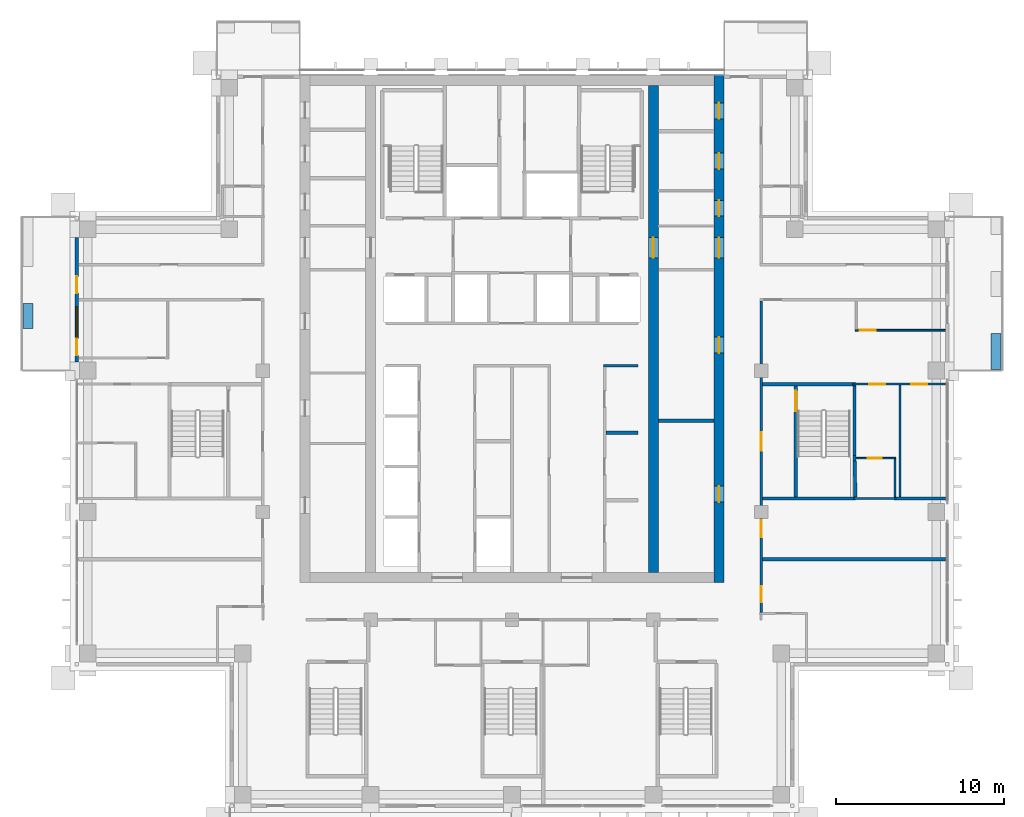
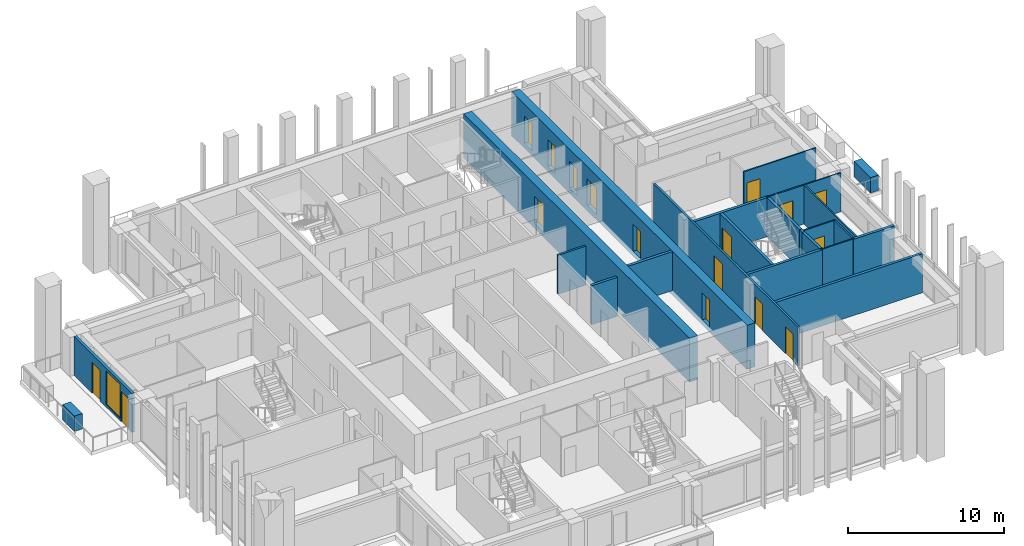
# One storey, part 9 of 16: 23 walls, 17 doors, 1 window, 18 openings.
"""IFC4 building model written with IfcOpenShell, lengths in metres."""

from ifc_helpers import new_model, si_unit, direction, frame, frame_2d, origin, place, context, subcontext, project, spatial, rectangle, extrude, material, layer, layer_set, type_object, element, fill, save


model = new_model("IFC4")

# Units and contexts
model_context = context("Model", 3, precision=1e-05, world=origin(), true_north=direction((0.0, 1.0)))
body_context = subcontext(model_context, "Body", "Model", "MODEL_VIEW")
ifc_project = project(units=[si_unit("LENGTHUNIT", "METRE"), si_unit("AREAUNIT", "SQUARE_METRE"), si_unit("VOLUMEUNIT", "CUBIC_METRE"), si_unit("PLANEANGLEUNIT", "RADIAN"), si_unit("MASSUNIT", "GRAM", prefix="KILO")], contexts=[model_context])

# Site, building, storey
site_placement = place(None, origin())
site = spatial("IfcSite", under=ifc_project, at=site_placement, CompositionType="ELEMENT")
building_placement = place(site_placement, origin())
building = spatial("IfcBuilding", under=site, at=building_placement, Name="Vermilion Ogive Tower", CompositionType="ELEMENT")
storey_placement = place(building_placement, frame((0.0, 0.0, 206.60009765625)))
storey = spatial("IfcBuildingStorey", under=building, at=storey_placement, Name="L54", CompositionType="ELEMENT", Elevation=206.60009765625)

# Wall, openings, doors
ifc_material_1 = material(Name="Concrete B60", Category="concrete")
ifc_layer_1 = layer(ifc_material_1, 0.60009765625)
ifc_layer_set_1 = layer_set([ifc_layer_1], Name="Core wall 600 B60")
wall_type_1 = type_object("IfcWallType", Name="Core wall 600 B60", PredefinedType="SHEAR", material=ifc_layer_set_1)
wall_1_placement = place(storey_placement, frame((12.300048828125, -8.39990234375, -0.400146484375), z_axis=(0.0, 0.0, 1.0), x_axis=(0.0, 1.0, 0.0)))
wall_1 = element("IfcWall", 1, at=wall_1_placement, inside=storey, type_object=wall_type_1, Name="L54-CORE-E", PredefinedType="SHEAR", context=body_context, shape_type="SweptSolid", body=[
    extrude(rectangle(XDim=30.14990234375, YDim=0.60009765625, at=frame_2d((15.074951171875, 0.0))), origin(), (0.0, 0.0, 1.0), 3.449951171875),
])
opening_1_placement = place(wall_1_placement, frame((4.78759765625, 0.0, 0.39990234375)))
opening_1 = element("IfcOpeningElement", 2, at=opening_1_placement, cuts=wall_1, Name="Opening DAC089", PredefinedType="OPENING", context=body_context, shape_type="SweptSolid", body=[
    extrude(rectangle(XDim=0.949951171875, YDim=2.10009765625, at=frame_2d((0.47509765625, 1.050048828125))), frame((0.0, 0.31005859375, 0.0), z_axis=(0.0, -1.0, 0.0), x_axis=(1.0, 0.0, 0.0)), (0.0, 0.0, 1.0), 0.6201171875),
])
opening_2_placement = place(wall_1_placement, frame((13.6376953125, 0.0, 0.39990234375)))
opening_2 = element("IfcOpeningElement", 3, at=opening_2_placement, cuts=wall_1, Name="Opening DAC090", PredefinedType="OPENING", context=body_context, shape_type="SweptSolid", body=[
    extrude(rectangle(XDim=0.949951171875, YDim=2.10009765625, at=frame_2d((0.47509765625, 1.050048828125))), frame((0.0, 0.31005859375, 0.0), z_axis=(0.0, -1.0, 0.0), x_axis=(1.0, 0.0, 0.0)), (0.0, 0.0, 1.0), 0.6201171875),
])
opening_3_placement = place(wall_1_placement, frame((21.7705078125, 0.0, 0.39990234375)))
opening_3 = element("IfcOpeningElement", 4, at=opening_3_placement, cuts=wall_1, Name="Opening DAC091", PredefinedType="OPENING", context=body_context, shape_type="SweptSolid", body=[
    extrude(rectangle(XDim=0.949951171875, YDim=2.10009765625, at=frame_2d((0.47509765625, 1.050048828125))), frame((0.0, 0.31005859375, 0.0), z_axis=(0.0, -1.0, 0.0), x_axis=(1.0, 0.0, 0.0)), (0.0, 0.0, 1.0), 0.6201171875),
])
opening_4_placement = place(wall_1_placement, frame((24.57568359375, 0.0, 0.39990234375)))
opening_4 = element("IfcOpeningElement", 5, at=opening_4_placement, cuts=wall_1, Name="Opening DAC092", PredefinedType="OPENING", context=body_context, shape_type="SweptSolid", body=[
    extrude(rectangle(XDim=0.949951171875, YDim=2.10009765625, at=frame_2d((0.47509765625, 1.050048828125))), frame((0.0, 0.31005859375, 0.0), z_axis=(0.0, -1.0, 0.0), x_axis=(1.0, 0.0, 0.0)), (0.0, 0.0, 1.0), 0.6201171875),
])
opening_5_placement = place(wall_1_placement, frame((27.555419921875, 0.0, 0.39990234375)))
opening_5 = element("IfcOpeningElement", 6, at=opening_5_placement, cuts=wall_1, Name="Opening DAC093", PredefinedType="OPENING", context=body_context, shape_type="SweptSolid", body=[
    extrude(rectangle(XDim=0.949951171875, YDim=2.10009765625, at=frame_2d((0.47509765625, 1.050048828125))), frame((0.0, 0.31005859375, 0.0), z_axis=(0.0, -1.0, 0.0), x_axis=(1.0, 0.0, 0.0)), (0.0, 0.0, 1.0), 0.6201171875),
])
opening_6_placement = place(wall_1_placement, frame((19.300048828125, 0.0, 0.39990234375)))
opening_6 = element("IfcOpeningElement", 7, at=opening_6_placement, cuts=wall_1, Name="Opening DAL022", PredefinedType="OPENING", context=body_context, shape_type="SweptSolid", body=[
    extrude(rectangle(XDim=1.199951171875, YDim=2.10009765625, at=frame_2d((0.60009765625, 1.050048828125))), frame((0.0, 0.31005859375, 0.0), z_axis=(0.0, -1.0, 0.0), x_axis=(1.0, 0.0, 0.0)), (0.0, 0.0, 1.0), 0.6201171875),
])
ifc_material_2 = material(Name="Timber door leaf", Category="wood")
door_type_1 = type_object("IfcDoorType", Name="Link door 1200 x 2100 FD60S", OperationType="SINGLE_SWING_LEFT", PredefinedType="DOOR", material=ifc_material_2)
door_1_placement = place(opening_6_placement, origin())
door_1 = element("IfcDoor", 8, at=door_1_placement, inside=storey, type_object=door_type_1, Name="L54-CKE-XL", OperationType="SINGLE_SWING_LEFT", OverallHeight=2.10009765625, OverallWidth=1.199951171875, PredefinedType="DOOR", context=body_context, shape_type="SweptSolid", body=[
    extrude(rectangle(XDim=1.199951171875, YDim=2.10009765625, at=frame_2d((0.60009765625, 1.050048828125))), frame((0.0, 0.02490234375, 0.0), z_axis=(0.0, -1.0, 0.0), x_axis=(1.0, 0.0, 0.0)), (0.0, 0.0, 1.0), 0.050048828125),
])
fill(opening_6, door_1)
ifc_material_3 = material(Name="Timber door leaf", Category="wood")
door_type_2 = type_object("IfcDoorType", Name="Service door 950 x 2100 FD60", OperationType="SINGLE_SWING_LEFT", PredefinedType="DOOR", material=ifc_material_3)
door_2_placement = place(opening_1_placement, origin())
door_2 = element("IfcDoor", 9, at=door_2_placement, inside=storey, type_object=door_type_2, Name="L54-CKE-XR0", OperationType="SINGLE_SWING_LEFT", OverallHeight=2.10009765625, OverallWidth=0.949951171875, PredefinedType="DOOR", context=body_context, shape_type="SweptSolid", body=[
    extrude(rectangle(XDim=0.949951171875, YDim=2.10009765625, at=frame_2d((0.47509765625, 1.050048828125))), frame((0.0, 0.02490234375, 0.0), z_axis=(0.0, -1.0, 0.0), x_axis=(1.0, 0.0, 0.0)), (0.0, 0.0, 1.0), 0.050048828125),
])
fill(opening_1, door_2)
door_3_placement = place(opening_2_placement, origin())
door_3 = element("IfcDoor", 10, at=door_3_placement, inside=storey, type_object=door_type_2, Name="L54-CKE-XR1", OperationType="SINGLE_SWING_LEFT", OverallHeight=2.10009765625, OverallWidth=0.949951171875, PredefinedType="DOOR", context=body_context, shape_type="SweptSolid", body=[
    extrude(rectangle(XDim=0.949951171875, YDim=2.10009765625, at=frame_2d((0.47509765625, 1.050048828125))), frame((0.0, 0.02490234375, 0.0), z_axis=(0.0, -1.0, 0.0), x_axis=(1.0, 0.0, 0.0)), (0.0, 0.0, 1.0), 0.050048828125),
])
fill(opening_2, door_3)
door_4_placement = place(opening_3_placement, origin())
door_4 = element("IfcDoor", 11, at=door_4_placement, inside=storey, type_object=door_type_2, Name="L54-CKE-XR2", OperationType="SINGLE_SWING_LEFT", OverallHeight=2.10009765625, OverallWidth=0.949951171875, PredefinedType="DOOR", context=body_context, shape_type="SweptSolid", body=[
    extrude(rectangle(XDim=0.949951171875, YDim=2.10009765625, at=frame_2d((0.47509765625, 1.050048828125))), frame((0.0, 0.02490234375, 0.0), z_axis=(0.0, -1.0, 0.0), x_axis=(1.0, 0.0, 0.0)), (0.0, 0.0, 1.0), 0.050048828125),
])
fill(opening_3, door_4)
door_5_placement = place(opening_4_placement, origin())
door_5 = element("IfcDoor", 12, at=door_5_placement, inside=storey, type_object=door_type_2, Name="L54-CKE-XR3", OperationType="SINGLE_SWING_LEFT", OverallHeight=2.10009765625, OverallWidth=0.949951171875, PredefinedType="DOOR", context=body_context, shape_type="SweptSolid", body=[
    extrude(rectangle(XDim=0.949951171875, YDim=2.10009765625, at=frame_2d((0.47509765625, 1.050048828125))), frame((0.0, 0.02490234375, 0.0), z_axis=(0.0, -1.0, 0.0), x_axis=(1.0, 0.0, 0.0)), (0.0, 0.0, 1.0), 0.050048828125),
])
fill(opening_4, door_5)
door_6_placement = place(opening_5_placement, origin())
door_6 = element("IfcDoor", 13, at=door_6_placement, inside=storey, type_object=door_type_2, Name="L54-CKE-XR4", OperationType="SINGLE_SWING_LEFT", OverallHeight=2.10009765625, OverallWidth=0.949951171875, PredefinedType="DOOR", context=body_context, shape_type="SweptSolid", body=[
    extrude(rectangle(XDim=0.949951171875, YDim=2.10009765625, at=frame_2d((0.47509765625, 1.050048828125))), frame((0.0, 0.02490234375, 0.0), z_axis=(0.0, -1.0, 0.0), x_axis=(1.0, 0.0, 0.0)), (0.0, 0.0, 1.0), 0.050048828125),
])
fill(opening_5, door_6)

# Wall, opening, door
wall_2_placement = place(storey_placement, frame((8.39990234375, -7.800048828125, -0.400146484375), z_axis=(0.0, 0.0, 1.0), x_axis=(0.0, 1.0, 0.0)))
wall_2 = element("IfcWall", 14, at=wall_2_placement, inside=storey, type_object=wall_type_1, Name="L54-CORE-WEB2", PredefinedType="SHEAR", context=body_context, shape_type="SweptSolid", body=[
    extrude(rectangle(XDim=28.949951171875, YDim=0.60009765625, at=frame_2d((14.47509765625, 0.0))), origin(), (0.0, 0.0, 1.0), 3.449951171875),
])
opening_7_placement = place(wall_2_placement, frame((18.699951171875, 0.0, 0.39990234375)))
opening_7 = element("IfcOpeningElement", 15, at=opening_7_placement, cuts=wall_2, Name="Opening DAO017", PredefinedType="OPENING", context=body_context, shape_type="SweptSolid", body=[
    extrude(rectangle(XDim=1.199951171875, YDim=2.10009765625, at=frame_2d((0.60009765625, 1.050048828125))), frame((0.0, 0.31005859375, 0.0), z_axis=(0.0, -1.0, 0.0), x_axis=(1.0, 0.0, 0.0)), (0.0, 0.0, 1.0), 0.6201171875),
])
door_7_placement = place(opening_7_placement, origin())
door_7 = element("IfcDoor", 16, at=door_7_placement, inside=storey, type_object=door_type_1, Name="L54-CKE-XW", OperationType="SINGLE_SWING_LEFT", OverallHeight=2.10009765625, OverallWidth=1.199951171875, PredefinedType="DOOR", context=body_context, shape_type="SweptSolid", body=[
    extrude(rectangle(XDim=1.199951171875, YDim=2.10009765625, at=frame_2d((0.60009765625, 1.050048828125))), frame((0.0, 0.02490234375, 0.0), z_axis=(0.0, -1.0, 0.0), x_axis=(1.0, 0.0, 0.0)), (0.0, 0.0, 1.0), 0.050048828125),
])
fill(opening_7, door_7)

# Wall
ifc_material_4 = material(Name="Gypsum board partition on steel studs", Category="steel")
ifc_layer_2 = layer(ifc_material_4, 0.10009765625)
ifc_layer_set_2 = layer_set([ifc_layer_2], Name="Partition 100 bath")
wall_type_2 = type_object("IfcWallType", Name="Partition 100 bath", PredefinedType="PARTITIONING", material=ifc_layer_set_2)
wall_3_placement = place(storey_placement, frame((20.300048828125, -3.39990234375, 0.0), z_axis=(0.0, 0.0, 1.0), x_axis=(1.0, 0.0, 0.0)))
element("IfcWall", 17, at=wall_3_placement, inside=storey, type_object=wall_type_2, Name="L54-W-W019", PredefinedType="PARTITIONING", context=body_context, shape_type="SweptSolid", body=[
    extrude(rectangle(XDim=2.5, YDim=0.10009765625, at=frame_2d((1.25, 0.0))), origin(), (0.0, 0.0, 1.0), 3.0498046875),
])

# Wall, opening, door
wall_4_placement = place(storey_placement, frame((20.449951171875, -1.0, 0.0), z_axis=(0.0, 0.0, 1.0), x_axis=(1.0, 0.0, 0.0)))
wall_4 = element("IfcWall", 18, at=wall_4_placement, inside=storey, type_object=wall_type_2, Name="L54-W-W021", PredefinedType="PARTITIONING", context=body_context, shape_type="SweptSolid", body=[
    extrude(rectangle(XDim=2.35009765625, YDim=0.10009765625, at=frame_2d((1.175048828125, 0.0))), origin(), (0.0, 0.0, 1.0), 3.0498046875),
])
opening_8_placement = place(wall_4_placement, frame((0.675048828125, 0.0, 0.0)))
opening_8 = element("IfcOpeningElement", 19, at=opening_8_placement, cuts=wall_4, Name="Opening D4G5019", PredefinedType="OPENING", context=body_context, shape_type="SweptSolid", body=[
    extrude(rectangle(XDim=0.85009765625, YDim=2.10009765625, at=frame_2d((0.425048828125, 1.050048828125))), frame((0.0, 0.06005859375, 0.0), z_axis=(0.0, -1.0, 0.0), x_axis=(1.0, 0.0, 0.0)), (0.0, 0.0, 1.0), 0.1201171875),
])
ifc_material_5 = material(Name="Timber door leaf", Category="wood")
door_type_3 = type_object("IfcDoorType", Name="Bath door 850 x 2100 FD30", OperationType="SINGLE_SWING_LEFT", PredefinedType="DOOR", material=ifc_material_5)
door_8_placement = place(opening_8_placement, origin())
door_8 = element("IfcDoor", 20, at=door_8_placement, inside=storey, type_object=door_type_3, Name="L54-D-D019", OperationType="SINGLE_SWING_RIGHT", OverallHeight=2.10009765625, OverallWidth=0.85009765625, PredefinedType="DOOR", context=body_context, shape_type="SweptSolid", body=[
    extrude(rectangle(XDim=0.85009765625, YDim=2.10009765625, at=frame_2d((0.425048828125, 1.050048828125))), frame((0.0, 0.02490234375, 0.0), z_axis=(0.0, -1.0, 0.0), x_axis=(1.0, 0.0, 0.0)), (0.0, 0.0, 1.0), 0.050048828125),
])
fill(opening_8, door_8)

# Wall
wall_5_placement = place(storey_placement, frame((22.75, -3.300048828125, 0.0), z_axis=(0.0, 0.0, 1.0), x_axis=(0.0, 1.0, 0.0)))
element("IfcWall", 21, at=wall_5_placement, inside=storey, type_object=wall_type_2, Name="L54-W-W070", PredefinedType="PARTITIONING", context=body_context, shape_type="SweptSolid", body=[
    extrude(rectangle(XDim=2.25, YDim=0.10009765625, at=frame_2d((1.125, 0.0))), origin(), (0.0, 0.0, 1.0), 3.0498046875),
])

# Wall, openings, doors
ifc_material_6 = material(Name="Gypsum board partition on steel studs", Category="steel")
ifc_layer_3 = layer(ifc_material_6, 0.10009765625)
ifc_layer_set_3 = layer_set([ifc_layer_3], Name="Partition 100 inner")
wall_type_3 = type_object("IfcWallType", Name="Partition 100 inner", PredefinedType="PARTITIONING", material=ifc_layer_set_3)
wall_6_placement = place(storey_placement, frame((20.25, 3.39990234375, 0.0), z_axis=(0.0, 0.0, 1.0), x_axis=(1.0, 0.0, 0.0)))
wall_6 = element("IfcWall", 22, at=wall_6_placement, inside=storey, type_object=wall_type_3, Name="L54-W-W026", PredefinedType="PARTITIONING", context=body_context, shape_type="SweptSolid", body=[
    extrude(rectangle(XDim=5.5, YDim=0.10009765625, at=frame_2d((2.75, 0.0))), origin(), (0.0, 0.0, 1.0), 3.0498046875),
])
opening_9_placement = place(wall_6_placement, frame((3.474853515625, 0.0, 0.0)))
opening_9 = element("IfcOpeningElement", 23, at=opening_9_placement, cuts=wall_6, Name="Opening D4G5015", PredefinedType="OPENING", context=body_context, shape_type="SweptSolid", body=[
    extrude(rectangle(XDim=0.949951171875, YDim=2.10009765625, at=frame_2d((0.47509765625, 1.050048828125))), frame((0.0, 0.06005859375, 0.0), z_axis=(0.0, -1.0, 0.0), x_axis=(1.0, 0.0, 0.0)), (0.0, 0.0, 1.0), 0.1201171875),
])
opening_10_placement = place(wall_6_placement, frame((0.97509765625, 0.0, 0.0)))
opening_10 = element("IfcOpeningElement", 24, at=opening_10_placement, cuts=wall_6, Name="Opening D4G5018", PredefinedType="OPENING", context=body_context, shape_type="SweptSolid", body=[
    extrude(rectangle(XDim=0.949951171875, YDim=2.10009765625, at=frame_2d((0.47509765625, 1.050048828125))), frame((0.0, 0.06005859375, 0.0), z_axis=(0.0, -1.0, 0.0), x_axis=(1.0, 0.0, 0.0)), (0.0, 0.0, 1.0), 0.1201171875),
])
ifc_material_7 = material(Name="Timber door leaf", Category="wood")
door_type_4 = type_object("IfcDoorType", Name="Inner door 950 x 2100 FD30", OperationType="SINGLE_SWING_LEFT", PredefinedType="DOOR", material=ifc_material_7)
door_9_placement = place(opening_9_placement, origin())
door_9 = element("IfcDoor", 25, at=door_9_placement, inside=storey, type_object=door_type_4, Name="L54-D-D015", OperationType="SINGLE_SWING_RIGHT", OverallHeight=2.10009765625, OverallWidth=0.949951171875, PredefinedType="DOOR", context=body_context, shape_type="SweptSolid", body=[
    extrude(rectangle(XDim=0.949951171875, YDim=2.10009765625, at=frame_2d((0.47509765625, 1.050048828125))), frame((0.0, 0.02490234375, 0.0), z_axis=(0.0, -1.0, 0.0), x_axis=(1.0, 0.0, 0.0)), (0.0, 0.0, 1.0), 0.050048828125),
])
fill(opening_9, door_9)
door_10_placement = place(opening_10_placement, origin())
door_10 = element("IfcDoor", 26, at=door_10_placement, inside=storey, type_object=door_type_4, Name="L54-D-D018", OperationType="SINGLE_SWING_RIGHT", OverallHeight=2.10009765625, OverallWidth=0.949951171875, PredefinedType="DOOR", context=body_context, shape_type="SweptSolid", body=[
    extrude(rectangle(XDim=0.949951171875, YDim=2.10009765625, at=frame_2d((0.47509765625, 1.050048828125))), frame((0.0, 0.02490234375, 0.0), z_axis=(0.0, -1.0, 0.0), x_axis=(1.0, 0.0, 0.0)), (0.0, 0.0, 1.0), 0.050048828125),
])
fill(opening_10, door_10)

# Wall, opening, door
wall_7_placement = place(storey_placement, frame((20.39990234375, 6.60009765625, 0.0), z_axis=(0.0, 0.0, 1.0), x_axis=(1.0, 0.0, 0.0)))
wall_7 = element("IfcWall", 27, at=wall_7_placement, inside=storey, type_object=wall_type_3, Name="L54-W-W028", PredefinedType="PARTITIONING", context=body_context, shape_type="SweptSolid", body=[
    extrude(rectangle(XDim=5.35009765625, YDim=0.10009765625, at=frame_2d((2.675048828125, 0.0))), origin(), (0.0, 0.0, 1.0), 3.0498046875),
])
opening_11_placement = place(wall_7_placement, frame((0.25, 0.0, 0.0)))
opening_11 = element("IfcOpeningElement", 28, at=opening_11_placement, cuts=wall_7, Name="Opening D4G5016", PredefinedType="OPENING", context=body_context, shape_type="SweptSolid", body=[
    extrude(rectangle(XDim=0.949951171875, YDim=2.10009765625, at=frame_2d((0.47509765625, 1.050048828125))), frame((0.0, 0.06005859375, 0.0), z_axis=(0.0, -1.0, 0.0), x_axis=(1.0, 0.0, 0.0)), (0.0, 0.0, 1.0), 0.1201171875),
])
door_11_placement = place(opening_11_placement, origin())
door_11 = element("IfcDoor", 29, at=door_11_placement, inside=storey, type_object=door_type_4, Name="L54-D-D016", OperationType="SINGLE_SWING_LEFT", OverallHeight=2.10009765625, OverallWidth=0.949951171875, PredefinedType="DOOR", context=body_context, shape_type="SweptSolid", body=[
    extrude(rectangle(XDim=0.949951171875, YDim=2.10009765625, at=frame_2d((0.47509765625, 1.050048828125))), frame((0.0, 0.02490234375, 0.0), z_axis=(0.0, -1.0, 0.0), x_axis=(1.0, 0.0, 0.0)), (0.0, 0.0, 1.0), 0.050048828125),
])
fill(opening_11, door_11)

# Wall
wall_8_placement = place(storey_placement, frame((23.050048828125, -3.300048828125, 0.0), z_axis=(0.0, 0.0, 1.0), x_axis=(0.0, 1.0, 0.0)))
element("IfcWall", 30, at=wall_8_placement, inside=storey, type_object=wall_type_3, Name="L54-W-W071", PredefinedType="PARTITIONING", context=body_context, shape_type="SweptSolid", body=[
    extrude(rectangle(XDim=6.650146484375, YDim=0.10009765625, at=frame_2d((3.3251953125, 0.0))), origin(), (0.0, 0.0, 1.0), 3.0498046875),
])

# Wall, openings, doors
ifc_material_8 = material(Name="Gypsum board partition on steel studs", Category="steel")
ifc_layer_4 = layer(ifc_material_8, 0.14990234375)
ifc_layer_set_4 = layer_set([ifc_layer_4], Name="Partition 150 corridor")
wall_type_4 = type_object("IfcWallType", Name="Partition 150 corridor", PredefinedType="PARTITIONING", material=ifc_layer_set_4)
wall_9_placement = place(storey_placement, frame((14.800048828125, -10.179931640625, 0.0), z_axis=(0.0, 0.0, 1.0), x_axis=(0.0, 1.0, 0.0)))
wall_9 = element("IfcWall", 31, at=wall_9_placement, inside=storey, type_object=wall_type_4, Name="L54-W-W060", PredefinedType="PARTITIONING", context=body_context, shape_type="SweptSolid", body=[
    extrude(rectangle(XDim=18.5048828125, YDim=0.14990234375, at=frame_2d((9.25244140625, 0.0))), origin(), (0.0, 0.0, 1.0), 3.0498046875),
])
opening_12_placement = place(wall_9_placement, frame((0.6298828125, 0.0, 0.0)))
opening_12 = element("IfcOpeningElement", 32, at=opening_12_placement, cuts=wall_9, Name="Opening D4G5013", PredefinedType="OPENING", context=body_context, shape_type="SweptSolid", body=[
    extrude(rectangle(XDim=0.949951171875, YDim=2.10009765625, at=frame_2d((0.47509765625, 1.050048828125))), frame((0.0, 0.0849609375, 0.0), z_axis=(0.0, -1.0, 0.0), x_axis=(1.0, 0.0, 0.0)), (0.0, 0.0, 1.0), 0.169921875),
])
opening_13_placement = place(wall_9_placement, frame((9.6298828125, 0.0, 0.0)))
opening_13 = element("IfcOpeningElement", 33, at=opening_13_placement, cuts=wall_9, Name="Opening D4G5028", PredefinedType="OPENING", context=body_context, shape_type="SweptSolid", body=[
    extrude(rectangle(XDim=1.10009765625, YDim=2.10009765625, at=frame_2d((0.550048828125, 1.050048828125))), frame((0.0, 0.0849609375, 0.0), z_axis=(0.0, -1.0, 0.0), x_axis=(1.0, 0.0, 0.0)), (0.0, 0.0, 1.0), 0.169921875),
])
opening_14_placement = place(wall_9_placement, frame((4.47998046875, 0.0, 0.0)))
opening_14 = element("IfcOpeningElement", 34, at=opening_14_placement, cuts=wall_9, Name="Opening D4G5033", PredefinedType="OPENING", context=body_context, shape_type="SweptSolid", body=[
    extrude(rectangle(XDim=1.0, YDim=2.10009765625, at=frame_2d((0.5, 1.050048828125))), frame((0.0, 0.0849609375, 0.0), z_axis=(0.0, -1.0, 0.0), x_axis=(1.0, 0.0, 0.0)), (0.0, 0.0, 1.0), 0.169921875),
])
ifc_material_9 = material(Name="Timber door leaf", Category="wood")
door_type_5 = type_object("IfcDoorType", Name="Stair door 1100 x 2100 FD60S", OperationType="SINGLE_SWING_LEFT", PredefinedType="DOOR", material=ifc_material_9)
door_12_placement = place(opening_13_placement, origin())
door_12 = element("IfcDoor", 35, at=door_12_placement, inside=storey, type_object=door_type_5, Name="L54-D-D028", OperationType="SINGLE_SWING_LEFT", OverallHeight=2.10009765625, OverallWidth=1.10009765625, PredefinedType="DOOR", context=body_context, shape_type="SweptSolid", body=[
    extrude(rectangle(XDim=1.10009765625, YDim=2.10009765625, at=frame_2d((0.550048828125, 1.050048828125))), frame((0.0, 0.02490234375, 0.0), z_axis=(0.0, -1.0, 0.0), x_axis=(1.0, 0.0, 0.0)), (0.0, 0.0, 1.0), 0.050048828125),
])
fill(opening_13, door_12)
ifc_material_10 = material(Name="Timber door leaf", Category="wood")
door_type_6 = type_object("IfcDoorType", Name="Unit door 1000 x 2100 FD30S", OperationType="SINGLE_SWING_LEFT", PredefinedType="DOOR", material=ifc_material_10)
door_13_placement = place(opening_14_placement, origin())
door_13 = element("IfcDoor", 36, at=door_13_placement, inside=storey, type_object=door_type_6, Name="L54-D-D033", OperationType="SINGLE_SWING_RIGHT", OverallHeight=2.10009765625, OverallWidth=1.0, PredefinedType="DOOR", context=body_context, shape_type="SweptSolid", body=[
    extrude(rectangle(XDim=1.0, YDim=2.10009765625, at=frame_2d((0.5, 1.050048828125))), frame((0.0, 0.02490234375, 0.0), z_axis=(0.0, -1.0, 0.0), x_axis=(1.0, 0.0, 0.0)), (0.0, 0.0, 1.0), 0.050048828125),
])
fill(opening_14, door_13)
ifc_material_11 = material(Name="Timber door leaf", Category="wood")
door_type_7 = type_object("IfcDoorType", Name="Unit door 950 x 2100 FD30S", OperationType="SINGLE_SWING_LEFT", PredefinedType="DOOR", material=ifc_material_11)
door_14_placement = place(opening_12_placement, origin())
door_14 = element("IfcDoor", 37, at=door_14_placement, inside=storey, type_object=door_type_7, Name="L54-D-D013", OperationType="SINGLE_SWING_RIGHT", OverallHeight=2.10009765625, OverallWidth=0.949951171875, PredefinedType="DOOR", context=body_context, shape_type="SweptSolid", body=[
    extrude(rectangle(XDim=0.949951171875, YDim=2.10009765625, at=frame_2d((0.47509765625, 1.050048828125))), frame((0.0, 0.02490234375, 0.0), z_axis=(0.0, -1.0, 0.0), x_axis=(1.0, 0.0, 0.0)), (0.0, 0.0, 1.0), 0.050048828125),
])
fill(opening_12, door_14)

# Walls
wall_10_placement = place(storey_placement, frame((5.425048828125, 4.5, 0.0), z_axis=(0.0, 0.0, 1.0), x_axis=(1.0, 0.0, 0.0)))
element("IfcWall", 38, at=wall_10_placement, inside=storey, type_object=wall_type_4, Name="L54-CK-W-W010", PredefinedType="PARTITIONING", context=body_context, shape_type="SweptSolid", body=[
    extrude(rectangle(XDim=2.074951171875, YDim=0.14990234375, at=frame_2d((1.03759765625, 0.0))), origin(), (0.0, 0.0, 1.0), 3.0498046875),
])
ifc_material_12 = material(Name="Gypsum board partition on steel studs", Category="steel")
ifc_layer_5 = layer(ifc_material_12, 0.199951171875)
ifc_layer_set_5 = layer_set([ifc_layer_5], Name="Partition 200 party")
wall_type_5 = type_object("IfcWallType", Name="Partition 200 party", PredefinedType="PARTITIONING", material=ifc_layer_set_5)
wall_11_placement = place(storey_placement, frame((14.875, -7.0, 0.0), z_axis=(0.0, 0.0, 1.0), x_axis=(1.0, 0.0, 0.0)))
element("IfcWall", 39, at=wall_11_placement, inside=storey, type_object=wall_type_5, Name="L54-W-W015", PredefinedType="PARTITIONING", context=body_context, shape_type="SweptSolid", body=[
    extrude(rectangle(XDim=10.875, YDim=0.199951171875, at=frame_2d((5.4375, 0.0))), origin(), (0.0, 0.0, 1.0), 3.0498046875),
])
wall_12_placement = place(storey_placement, frame((22.699951171875, -3.39990234375, 0.0), z_axis=(0.0, 0.0, 1.0), x_axis=(1.0, 0.0, 0.0)))
element("IfcWall", 40, at=wall_12_placement, inside=storey, type_object=wall_type_5, Name="L54-W-W020", PredefinedType="PARTITIONING", context=body_context, shape_type="SweptSolid", body=[
    extrude(rectangle(XDim=3.050048828125, YDim=0.199951171875, at=frame_2d((1.52490234375, 0.0))), origin(), (0.0, 0.0, 1.0), 3.0498046875),
])
wall_13_placement = place(storey_placement, frame((5.574951171875, 0.5, 0.0), z_axis=(0.0, 0.0, 1.0), x_axis=(1.0, 0.0, 0.0)))
element("IfcWall", 41, at=wall_13_placement, inside=storey, type_object=wall_type_5, Name="L54-CK-W-W006", PredefinedType="PARTITIONING", context=body_context, shape_type="SweptSolid", body=[
    extrude(rectangle(XDim=1.925048828125, YDim=0.199951171875, at=frame_2d((0.96240234375, 0.0))), origin(), (0.0, 0.0, 1.0), 3.0498046875),
])
wall_14_placement = place(storey_placement, frame((8.700927734375, 1.22509765625, 0.0), z_axis=(0.0, 0.0, 1.0), x_axis=(1.0, 0.0, 0.0)))
element("IfcWall", 42, at=wall_14_placement, inside=storey, type_object=wall_type_5, Name="L54-CKE-W-W001", PredefinedType="PARTITIONING", context=body_context, shape_type="SweptSolid", body=[
    extrude(rectangle(XDim=3.298095703125, YDim=0.199951171875, at=frame_2d((1.64892578125, 0.0))), origin(), (0.0, 0.0, 1.0), 3.0498046875),
])
ifc_material_13 = material(Name="Concrete B60", Category="concrete")
ifc_layer_6 = layer(ifc_material_13, 0.199951171875)
ifc_layer_set_6 = layer_set([ifc_layer_6], Name="Stair shaft wall 200 Concrete B60")
wall_type_6 = type_object("IfcWallType", Name="Stair shaft wall 200 Concrete B60", PredefinedType="SOLIDWALL", material=ifc_layer_set_6)
wall_15_placement = place(storey_placement, frame((14.875, -3.39990234375, 0.0), z_axis=(0.0, 0.0, 1.0), x_axis=(1.0, 0.0, 0.0)))
element("IfcWall", 43, at=wall_15_placement, inside=storey, type_object=wall_type_6, Name="L54-W-W018", PredefinedType="SOLIDWALL", context=body_context, shape_type="SweptSolid", body=[
    extrude(rectangle(XDim=5.52490234375, YDim=0.199951171875, at=frame_2d((2.762451171875, 0.0))), origin(), (0.0, 0.0, 1.0), 3.0498046875),
])

# Wall, opening, door
wall_16_placement = place(storey_placement, frame((16.85009765625, -3.300048828125, 0.0), z_axis=(0.0, 0.0, 1.0), x_axis=(0.0, 1.0, 0.0)))
wall_16 = element("IfcWall", 44, at=wall_16_placement, inside=storey, type_object=wall_type_6, Name="L54-W-W064", PredefinedType="SOLIDWALL", context=body_context, shape_type="SweptSolid", body=[
    extrude(rectangle(XDim=6.60009765625, YDim=0.199951171875, at=frame_2d((3.300048828125, 0.0))), origin(), (0.0, 0.0, 1.0), 3.0498046875),
])
opening_15_placement = place(wall_16_placement, frame((5.10009765625, 0.0, 0.0)))
opening_15 = element("IfcOpeningElement", 45, at=opening_15_placement, cuts=wall_16, Name="Opening D4G5029", PredefinedType="OPENING", context=body_context, shape_type="SweptSolid", body=[
    extrude(rectangle(XDim=1.199951171875, YDim=2.10009765625, at=frame_2d((0.60009765625, 1.050048828125))), frame((0.0, 0.10986328125, 0.0), z_axis=(0.0, -1.0, 0.0), x_axis=(1.0, 0.0, 0.0)), (0.0, 0.0, 1.0), 0.219970703125),
])
ifc_material_14 = material(Name="Timber door leaf", Category="wood")
door_type_8 = type_object("IfcDoorType", Name="Stair door 1200 x 2100 FD60S", OperationType="SINGLE_SWING_LEFT", PredefinedType="DOOR", material=ifc_material_14)
door_15_placement = place(opening_15_placement, origin())
door_15 = element("IfcDoor", 46, at=door_15_placement, inside=storey, type_object=door_type_8, Name="L54-D-D029", OperationType="SINGLE_SWING_LEFT", OverallHeight=2.10009765625, OverallWidth=1.199951171875, PredefinedType="DOOR", context=body_context, shape_type="SweptSolid", body=[
    extrude(rectangle(XDim=1.199951171875, YDim=2.10009765625, at=frame_2d((0.60009765625, 1.050048828125))), frame((0.0, 0.02490234375, 0.0), z_axis=(0.0, -1.0, 0.0), x_axis=(1.0, 0.0, 0.0)), (0.0, 0.0, 1.0), 0.050048828125),
])
fill(opening_15, door_15)

# Walls
wall_17_placement = place(storey_placement, frame((20.400146484375, -3.300048828125, 0.0), z_axis=(0.0, 0.0, 1.0), x_axis=(-0.021771342749, 0.999762976227, 0.0)))
element("IfcWall", 47, at=wall_17_placement, inside=storey, type_object=wall_type_6, Name="L54-W-W067", PredefinedType="SOLIDWALL", context=body_context, shape_type="SweptSolid", body=[
    extrude(rectangle(XDim=2.130615234375, YDim=0.199951171875, at=frame_2d((1.0654296875, 0.0))), origin(), (0.0, 0.0, 1.0), 3.0498046875),
])
wall_18_placement = place(storey_placement, frame((20.35009765625, -0.830078125, 0.0), z_axis=(0.0, 0.0, 1.0), x_axis=(0.0, 1.0, 0.0)))
element("IfcWall", 48, at=wall_18_placement, inside=storey, type_object=wall_type_6, Name="L54-W-W068", PredefinedType="SOLIDWALL", context=body_context, shape_type="SweptSolid", body=[
    extrude(rectangle(XDim=4.130126953125, YDim=0.199951171875, at=frame_2d((2.06494140625, 0.0))), origin(), (0.0, 0.0, 1.0), 3.0498046875),
])
wall_19_placement = place(storey_placement, frame((20.35009765625, -1.169921875, 0.0), z_axis=(0.0, 0.0, 1.0), x_axis=(0.0, 1.0, 0.0)))
element("IfcWall", 49, at=wall_19_placement, inside=storey, type_object=wall_type_6, Name="L54-SW-ST8-E1", PredefinedType="SOLIDWALL", context=body_context, shape_type="SweptSolid", body=[
    extrude(rectangle(XDim=0.33984375, YDim=0.199951171875, at=frame_2d((0.169921875, 0.0))), origin(), (0.0, 0.0, 1.0), 3.0498046875),
])
wall_20_placement = place(storey_placement, frame((14.875, 3.39990234375, 0.0), z_axis=(0.0, 0.0, 1.0), x_axis=(1.0, 0.0, 0.0)))
element("IfcWall", 50, at=wall_20_placement, inside=storey, type_object=wall_type_6, Name="L54-W-W025-A", PredefinedType="SOLIDWALL", context=body_context, shape_type="SweptSolid", body=[
    extrude(rectangle(XDim=5.574951171875, YDim=0.199951171875, at=frame_2d((2.78759765625, 0.0))), origin(), (0.0, 0.0, 1.0), 3.0498046875),
])
ifc_material_15 = material(Name="Concrete B40", Category="concrete")
ifc_layer_7 = layer(ifc_material_15, 0.60009765625)
ifc_layer_set_7 = layer_set([ifc_layer_7], Name="Structural planter")
wall_type_7 = type_object("IfcWallType", Name="Structural planter", PredefinedType="USERDEFINED", material=ifc_layer_set_7)
wall_21_placement = place(storey_placement, frame((28.75, 4.260009765625, -0.0400390625), z_axis=(0.0, 0.0, 1.0), x_axis=(0.0, 1.0, 0.0)))
element("IfcWall", 51, at=wall_21_placement, inside=storey, type_object=wall_type_7, Name="Planter E03A1", ObjectType="PLANTER", PredefinedType="USERDEFINED", context=body_context, shape_type="SweptSolid", body=[
    extrude(rectangle(XDim=2.139892578125, YDim=0.60009765625, at=frame_2d((1.06982421875, 0.0))), origin(), (0.0, 0.0, 1.0), 1.199951171875),
])
wall_22_placement = place(storey_placement, frame((-28.75, 8.199951171875, -0.0400390625), z_axis=(0.0, 0.0, 1.0), x_axis=(0.0, -1.0, 0.0)))
element("IfcWall", 52, at=wall_22_placement, inside=storey, type_object=wall_type_7, Name="Planter W01A2", ObjectType="PLANTER", PredefinedType="USERDEFINED", context=body_context, shape_type="SweptSolid", body=[
    extrude(rectangle(XDim=1.5, YDim=0.60009765625, at=frame_2d((0.75, 0.0))), origin(), (0.0, 0.0, 1.0), 1.199951171875),
])

# Wall, openings, doors, window
ifc_material_16 = material(Name="Aluminium window wall framing", Category="aluminium")
ifc_layer_8 = layer(ifc_material_16, 0.199951171875)
ifc_layer_set_8 = layer_set([ifc_layer_8], Name="Window wall")
wall_type_8 = type_object("IfcWallType", Name="Window wall", PredefinedType="STANDARD", material=ifc_layer_set_8)
wall_23_placement = place(storey_placement, frame((-25.85009765625, 12.10009765625, 0.0), z_axis=(0.0, 0.0, 1.0), x_axis=(0.0, -1.0, 0.0)))
wall_23 = element("IfcWall", 53, at=wall_23_placement, inside=storey, type_object=wall_type_8, Name="Window wall W1", PredefinedType="STANDARD", context=body_context, shape_type="SweptSolid", body=[
    extrude(rectangle(XDim=7.400146484375, YDim=0.199951171875, at=frame_2d((3.7001953125, 0.0))), origin(), (0.0, 0.0, 1.0), 3.0498046875),
])
opening_16_placement = place(wall_23_placement, frame((4.10009765625, 0.0, 0.199951171875)))
opening_16 = element("IfcOpeningElement", 54, at=opening_16_placement, cuts=wall_23, Name="Opening W1-W01", PredefinedType="OPENING", context=body_context, shape_type="SweptSolid", body=[
    extrude(rectangle(XDim=1.800048828125, YDim=2.64990234375, at=frame_2d((0.89990234375, 1.324951171875))), frame((0.0, 0.10986328125, 0.0), z_axis=(0.0, -1.0, 0.0), x_axis=(1.0, 0.0, 0.0)), (0.0, 0.0, 1.0), 0.219970703125),
])
opening_17_placement = place(wall_23_placement, frame((6.0, 0.0, 0.0)))
opening_17 = element("IfcOpeningElement", 55, at=opening_17_placement, cuts=wall_23, Name="Opening D1-W01", PredefinedType="OPENING", context=body_context, shape_type="SweptSolid", body=[
    extrude(rectangle(XDim=1.0, YDim=2.39990234375, at=frame_2d((0.5, 1.199951171875))), frame((0.0, 0.10986328125, 0.0), z_axis=(0.0, -1.0, 0.0), x_axis=(1.0, 0.0, 0.0)), (0.0, 0.0, 1.0), 0.219970703125),
])
opening_18_placement = place(wall_23_placement, frame((2.300048828125, 0.0, 0.0)))
opening_18 = element("IfcOpeningElement", 56, at=opening_18_placement, cuts=wall_23, Name="Opening D1-W02", PredefinedType="OPENING", context=body_context, shape_type="SweptSolid", body=[
    extrude(rectangle(XDim=1.0, YDim=2.39990234375, at=frame_2d((0.5, 1.199951171875))), frame((0.0, 0.10986328125, 0.0), z_axis=(0.0, -1.0, 0.0), x_axis=(1.0, 0.0, 0.0)), (0.0, 0.0, 1.0), 0.219970703125),
])
ifc_material_17 = material(Name="Aluminium framed glazed door", Category="aluminium")
door_type_9 = type_object("IfcDoorType", Name="Balcony door D1", OperationType="SINGLE_SWING_LEFT", PredefinedType="DOOR", material=ifc_material_17)
door_16_placement = place(opening_17_placement, origin())
door_16 = element("IfcDoor", 57, at=door_16_placement, inside=storey, type_object=door_type_9, Name="Balcony door W01", OperationType="SINGLE_SWING_LEFT", OverallHeight=2.39990234375, OverallWidth=1.0, PredefinedType="DOOR", context=body_context, shape_type="SweptSolid", body=[
    extrude(rectangle(XDim=1.0, YDim=2.39990234375, at=frame_2d((0.5, 1.199951171875))), frame((0.0, 0.02490234375, 0.0), z_axis=(0.0, -1.0, 0.0), x_axis=(1.0, 0.0, 0.0)), (0.0, 0.0, 1.0), 0.050048828125),
])
fill(opening_17, door_16)
door_17_placement = place(opening_18_placement, origin())
door_17 = element("IfcDoor", 58, at=door_17_placement, inside=storey, type_object=door_type_9, Name="Balcony door W02", OperationType="SINGLE_SWING_LEFT", OverallHeight=2.39990234375, OverallWidth=1.0, PredefinedType="DOOR", context=body_context, shape_type="SweptSolid", body=[
    extrude(rectangle(XDim=1.0, YDim=2.39990234375, at=frame_2d((0.5, 1.199951171875))), frame((0.0, 0.02490234375, 0.0), z_axis=(0.0, -1.0, 0.0), x_axis=(1.0, 0.0, 0.0)), (0.0, 0.0, 1.0), 0.050048828125),
])
fill(opening_18, door_17)
ifc_material_18 = material(Name="Aluminium framed double glazing", Category="aluminium")
window_type = type_object("IfcWindowType", Name="Guest window W1", PartitioningType="SINGLE_PANEL", PredefinedType="WINDOW", material=ifc_material_18)
window_placement = place(opening_16_placement, origin())
window = element("IfcWindow", 59, at=window_placement, inside=storey, type_object=window_type, Name="Window W01", OverallHeight=2.64990234375, OverallWidth=1.800048828125, PartitioningType="SINGLE_PANEL", PredefinedType="WINDOW", context=body_context, shape_type="SweptSolid", body=[
    extrude(rectangle(XDim=1.800048828125, YDim=2.64990234375, at=frame_2d((0.89990234375, 1.324951171875))), frame((0.0, 0.030029296875, 0.0), z_axis=(0.0, -1.0, 0.0), x_axis=(1.0, 0.0, 0.0)), (0.0, 0.0, 1.0), 0.06005859375),
])
fill(opening_16, window)

save(model, "model.ifc")
